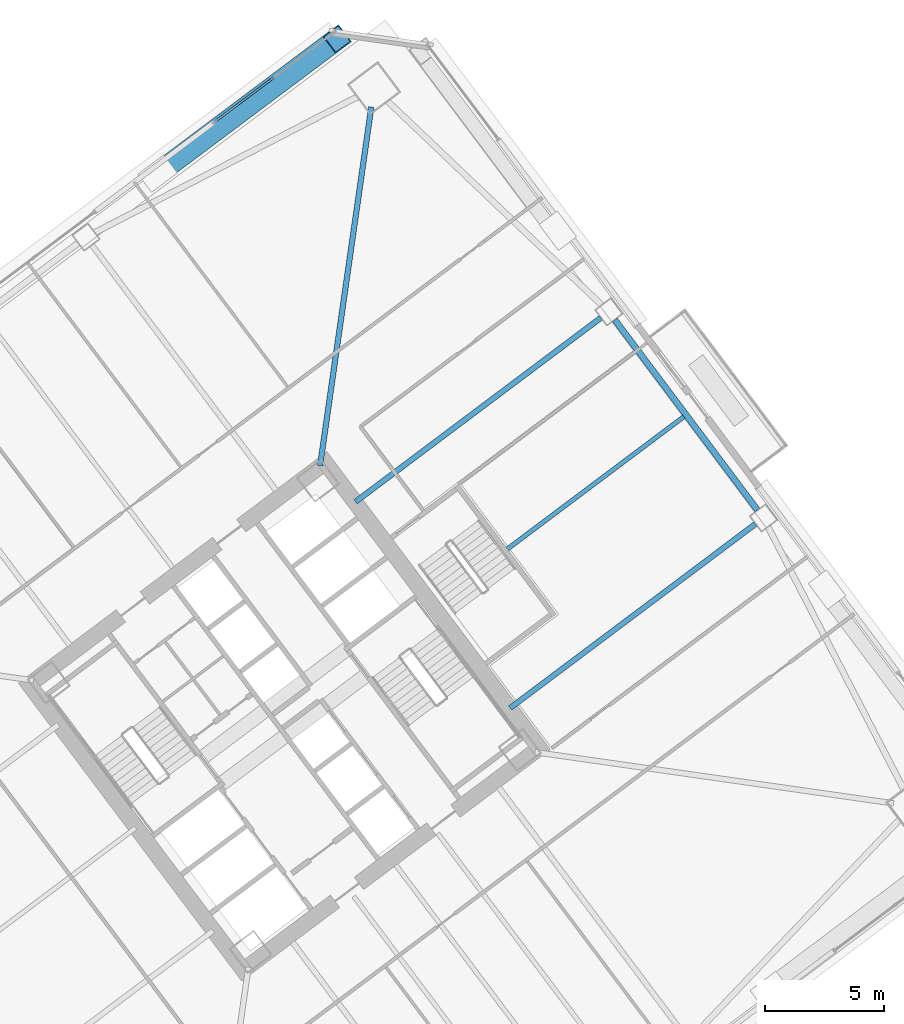
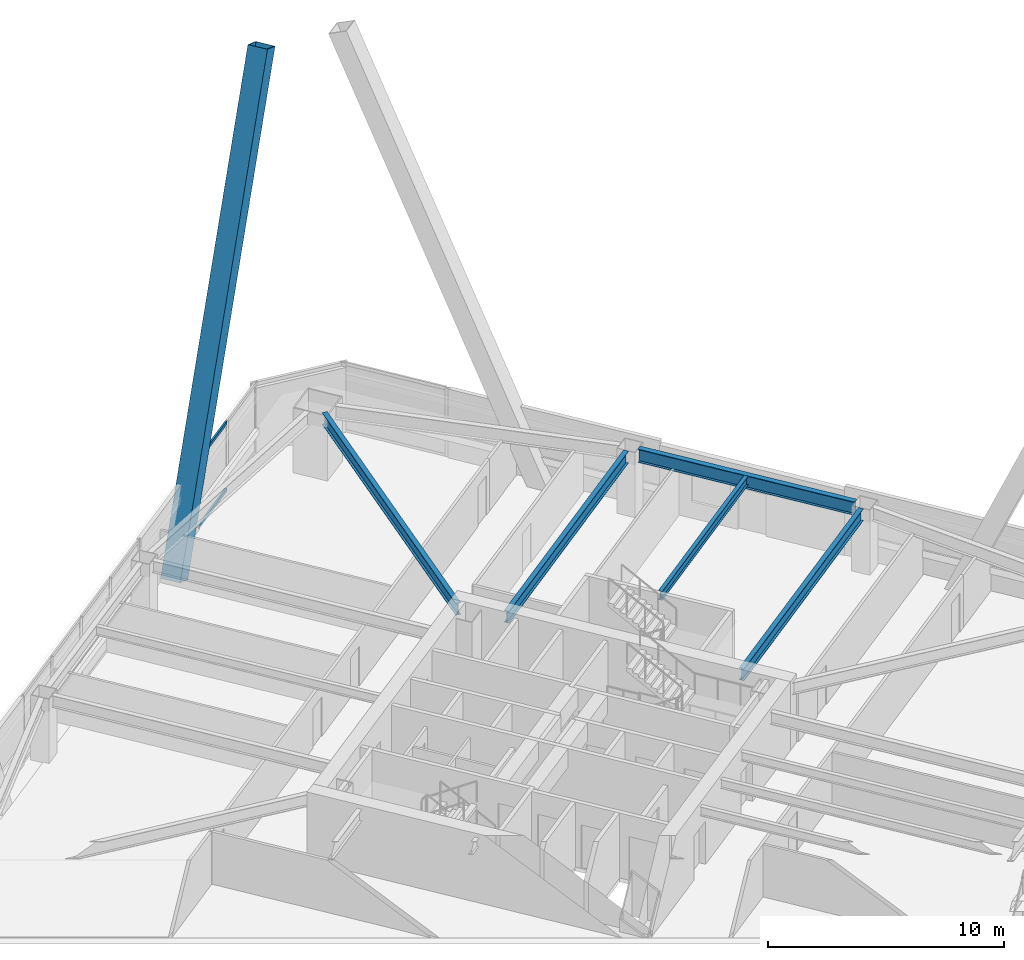
# One storey, part 56 of 75: 5 beams, 3 members, 1 element without a shape of its own.
"""IFC4 building model written with IfcOpenShell, lengths in metres."""

from ifc_helpers import new_model, si_unit, direction, frame, origin, origin_2d, place, context, subcontext, project, spatial, hollow_rectangle, i_section, extrude, material, material_profile, profile_set, type_object, element, aggregate, save


model = new_model("IFC4")

# Units and contexts
model_context = context("Model", 3, precision=1e-05, world=origin(), true_north=direction((0.0, 1.0)))
body_context = subcontext(model_context, "Body", "Model", "MODEL_VIEW")
ifc_project = project(units=[si_unit("LENGTHUNIT", "METRE"), si_unit("AREAUNIT", "SQUARE_METRE"), si_unit("VOLUMEUNIT", "CUBIC_METRE"), si_unit("PLANEANGLEUNIT", "RADIAN"), si_unit("MASSUNIT", "GRAM", prefix="KILO")], contexts=[model_context])

# Site, building, storey
site_placement = place(None, origin())
site = spatial("IfcSite", under=ifc_project, at=site_placement, CompositionType="ELEMENT")
building_placement = place(site_placement, origin())
building = spatial("IfcBuilding", under=site, at=building_placement, Name="Tashvorn Skyway Center", CompositionType="ELEMENT")
storey_placement = place(building_placement, frame((0.0, 0.0, 45.89990234375)))
storey = spatial("IfcBuildingStorey", under=building, at=storey_placement, Name="L11", CompositionType="ELEMENT", Elevation=45.89990234375)

# Beams
ifc_material_1 = material(Name="Steel ASTM A992 Grade 50", Category="steel")
ifc_material_profile_1 = material_profile(ifc_material_1, i_section(OverallWidth=0.22998046875, OverallDepth=0.616943359375, WebThickness=0.01318359375, FlangeThickness=0.022216796875, at=origin_2d()), Name="W24X94")
ifc_profile_set_1 = profile_set([ifc_material_profile_1], Name="Steel ASTM A992 Grade 50")
beam_type_1 = type_object("IfcBeamType", Name="BM-BEAM-W24X94", PredefinedType="BEAM", material=ifc_profile_set_1)
beam_1_placement = place(storey_placement, frame((117.6474609375, 57.532958984375, 3.04150390625), z_axis=(-0.141414599991, -0.989950458816, 0.0), x_axis=(0.989950458816, -0.141414599991, 0.0)))
element("IfcBeam", 1, at=beam_1_placement, inside=storey, type_object=beam_type_1, Name="Tower 2 L11 Primary Floor Girder MC-NE", PredefinedType="BEAM", context=body_context, shape_type="SweptSolid", body=[
    extrude(i_section(OverallWidth=0.22998046875, OverallDepth=0.616943359375, WebThickness=0.01318359375, FlangeThickness=0.022216796875, at=origin_2d()), origin(), (0.0, 0.0, 1.0), 15.177001953125),
])
beam_2_placement = place(storey_placement, frame((133.743896484375, 40.05810546875, 3.04150390625), z_axis=(-0.799986320265, -0.600018239213, 0.0), x_axis=(0.600018239213, -0.799986320265, 0.0)))
element("IfcBeam", 2, at=beam_2_placement, inside=storey, type_object=beam_type_1, Name="Tower 2 L11 Primary Floor Girder FC-E1", PredefinedType="BEAM", context=body_context, shape_type="SweptSolid", body=[
    extrude(i_section(OverallWidth=0.22998046875, OverallDepth=0.616943359375, WebThickness=0.01318359375, FlangeThickness=0.022216796875, at=origin_2d()), origin(), (0.0, 0.0, 1.0), 12.849853515625),
])
beam_3_placement = place(storey_placement, frame((127.263916015625, 48.697998046875, 3.04150390625), z_axis=(-0.800002279907, -0.599996960112, 0.0), x_axis=(0.599996960112, -0.800002279907, 0.0)))
element("IfcBeam", 3, at=beam_3_placement, inside=storey, type_object=beam_type_1, Name="Tower 2 L11 Primary Floor Girder FC-E2", PredefinedType="BEAM", context=body_context, shape_type="SweptSolid", body=[
    extrude(i_section(OverallWidth=0.22998046875, OverallDepth=0.616943359375, WebThickness=0.01318359375, FlangeThickness=0.022216796875, at=origin_2d()), origin(), (0.0, 0.0, 1.0), 12.85009765625),
])
ifc_material_profile_2 = material_profile(ifc_material_1, i_section(OverallWidth=0.19091796875, OverallDepth=0.4599609375, WebThickness=0.010009765625, FlangeThickness=0.01611328125, at=origin_2d()), Name="W18X55")
ifc_profile_set_2 = profile_set([ifc_material_profile_2], Name="Steel ASTM A992 Grade 50")
beam_type_2 = type_object("IfcBeamType", Name="BM-JOIST-W18X55", PredefinedType="JOIST", material=ifc_profile_set_2)
beam_4_placement = place(storey_placement, frame((123.3359375, 39.001953125, 3.1201171875), z_axis=(0.799990508532, 0.600012655082, 0.0), x_axis=(-0.600012655082, 0.799990508532, 0.0)))
element("IfcBeam", 4, at=beam_4_placement, inside=storey, type_object=beam_type_2, Name="Tower 2 L11 Secondary Composite Joist JE", PredefinedType="JOIST", context=body_context, shape_type="SweptSolid", body=[
    extrude(i_section(OverallWidth=0.19091796875, OverallDepth=0.4599609375, WebThickness=0.010009765625, FlangeThickness=0.01611328125, at=origin_2d()), origin(), (0.0, 0.0, 1.0), 9.260009765625),
])
ifc_material_profile_3 = material_profile(ifc_material_1, i_section(OverallWidth=0.256103515625, OverallDepth=0.693115234375, WebThickness=0.014404296875, FlangeThickness=0.023681640625, at=origin_2d()), Name="W27X114")
ifc_profile_set_3 = profile_set([ifc_material_profile_3], Name="Steel ASTM A992 Grade 50")
beam_type_3 = type_object("IfcBeamType", Name="BM-SPANDREL-W27X114", PredefinedType="SPANDREL", material=ifc_profile_set_3)
beam_5_placement = place(storey_placement, frame((133.827880859375, 40.64599609375, 3.003662109375), z_axis=(-0.599988234018, 0.800008824351, 0.0), x_axis=(-0.800008824351, -0.599988234018, 0.0)))
element("IfcBeam", 5, at=beam_5_placement, inside=storey, type_object=beam_type_3, Name="Tower 2 L11 Spandrel Beam 05", PredefinedType="SPANDREL", context=body_context, shape_type="SweptSolid", body=[
    extrude(i_section(OverallWidth=0.256103515625, OverallDepth=0.693115234375, WebThickness=0.014404296875, FlangeThickness=0.023681640625, at=origin_2d()), origin(), (0.0, 0.0, 1.0), 9.9599609375),
])

# Curtain wall, members
ifc_material_2 = material(Name="Thermally broken bronze-anodized aluminium 6063-T6", Category="aluminium")
curtain_wall_type = type_object("IfcCurtainWallType", Name="CW-CW-Z1", PredefinedType="NOTDEFINED", material=ifc_material_2)
curtain_wall_placement = place(storey_placement, origin())
curtain_wall = element("IfcCurtainWall", 6, at=curtain_wall_placement, inside=storey, type_object=curtain_wall_type, Name="Tower 2 L11 North Unitised Curtain Wall Glazing Group 3", PredefinedType="NOTDEFINED")
ifc_material_profile_4 = material_profile(ifc_material_2, hollow_rectangle(XDim=0.0849609375, YDim=0.1650390625, WallThickness=0.0048828125, at=origin_2d()), Name="ALU-TRAN-85x165")
ifc_profile_set_4 = profile_set([ifc_material_profile_4], Name="Thermally broken bronze-anodized aluminium 6063-T6")
member_type_1 = type_object("IfcMemberType", Name="CWT-CW-Z1", PredefinedType="USERDEFINED", material=ifc_profile_set_4)
member_1_placement = place(storey_placement, frame((111.12939453125, 56.947021484375, 0.04248046875), z_axis=(0.799990296182, 0.600012938206, 0.0), x_axis=(-0.600012938206, 0.799990296182, 0.0)))
member_1 = element("IfcMember", 7, at=member_1_placement, type_object=member_type_1, Name="CW-Z1 transom 1.1", ObjectType="TRANSOM", PredefinedType="USERDEFINED", context=body_context, shape_type="SweptSolid", body=[
    extrude(hollow_rectangle(XDim=0.0849609375, YDim=0.1650390625, WallThickness=0.0048828125, at=origin_2d()), origin(), (0.0, 0.0, 1.0), 3.01904296875),
])
member_2_placement = place(storey_placement, frame((111.12939453125, 56.947021484375, 3.507568359375), z_axis=(0.799990296182, 0.600012938206, 0.0), x_axis=(-0.600012938206, 0.799990296182, 0.0)))
member_2 = element("IfcMember", 8, at=member_2_placement, type_object=member_type_1, Name="CW-Z1 transom 1.2", ObjectType="TRANSOM", PredefinedType="USERDEFINED", context=body_context, shape_type="SweptSolid", body=[
    extrude(hollow_rectangle(XDim=0.0849609375, YDim=0.1650390625, WallThickness=0.0048828125, at=origin_2d()), origin(), (0.0, 0.0, 1.0), 3.01904296875),
])
aggregate(curtain_wall, [member_1, member_2])

# Member
ifc_material_3 = material(Name="Steel ASTM A572 Grade 50", Category="steel")
ifc_material_profile_5 = material_profile(ifc_material_3, hollow_rectangle(XDim=0.89990234375, YDim=0.89990234375, WallThickness=0.0400390625, at=origin_2d()), Name="BOX900x900x40")
ifc_profile_set_5 = profile_set([ifc_material_profile_5], Name="Steel ASTM A572 Grade 50")
member_type_2 = type_object("IfcMemberType", Name="MEM-MB-900", PredefinedType="BRACE", material=ifc_profile_set_5)
member_3_placement = place(storey_placement, frame((108.69189453125, 54.743896484375, -0.449951171875), z_axis=(0.320476506079, 0.240362581762, 0.916253588446), x_axis=(-0.600008311051, 0.799993766644, 0.0)))
element("IfcMember", 9, at=member_3_placement, inside=storey, type_object=member_type_2, Name="Tower 2 Zone 1 N Chevron Mega-Brace L2", PredefinedType="BRACE", context=body_context, shape_type="SweptSolid", body=[
    extrude(hollow_rectangle(XDim=0.89990234375, YDim=0.89990234375, WallThickness=0.0400390625, at=origin_2d()), origin(), (0.0, 0.0, 1.0), 23.465087890625),
])

save(model, "model.ifc")
